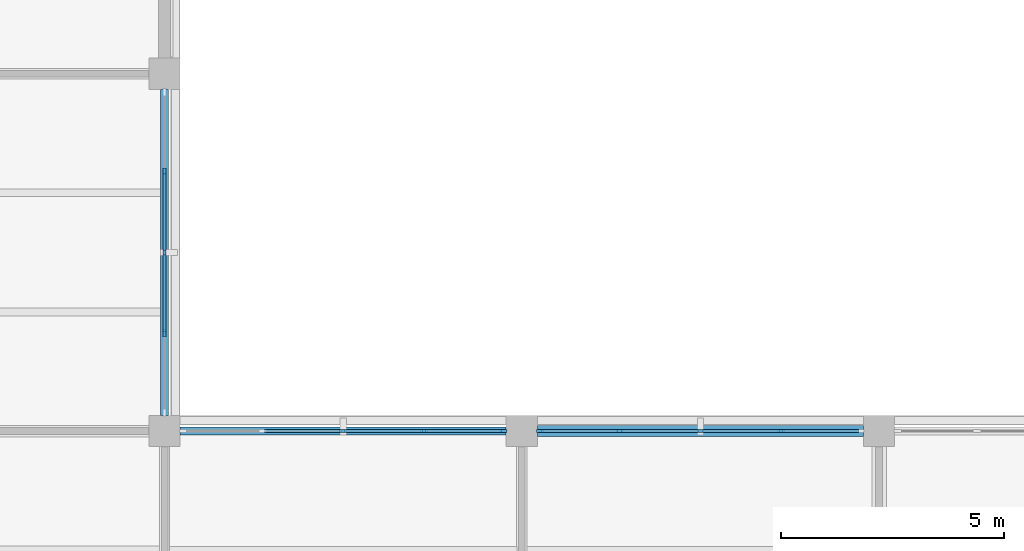
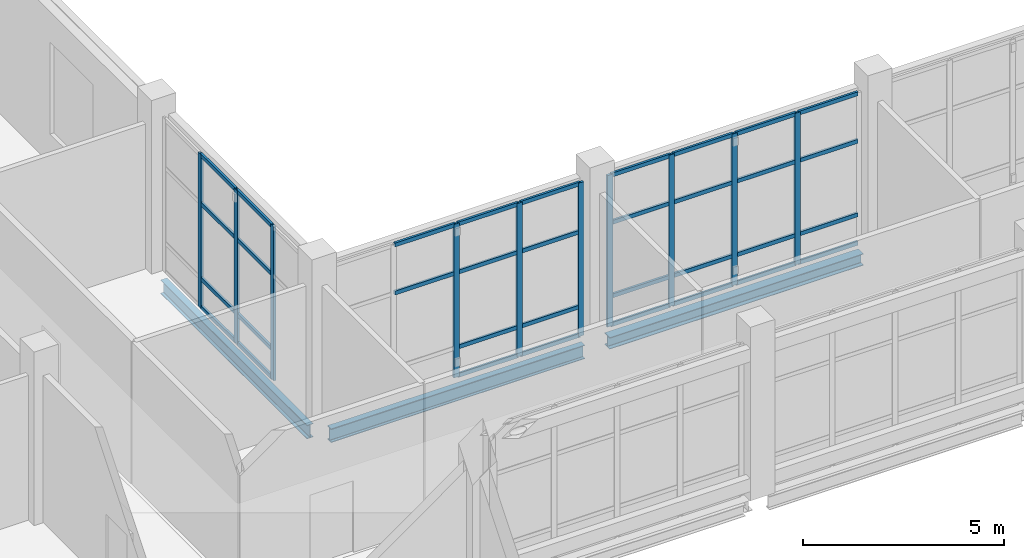
# One storey, part 12 of 105: 44 members, 3 beams, 3 elements without a shape of their own.
"""IFC4 building model written with IfcOpenShell, lengths in metres."""

from ifc_helpers import new_model, si_unit, derived_unit, direction, frame, origin, origin_2d, place, context, subcontext, project, spatial, rectangle, i_section, extrude, material, layer, layer_set, material_profile, profile_set, type_object, element, aggregate, save


model = new_model("IFC4")

# Units and contexts
model_context = context("Model", 3, precision=1e-05, world=origin(), true_north=direction((0.0, 1.0)))
body_context = subcontext(model_context, "Body", "Model", "MODEL_VIEW")
ifc_project = project(units=[si_unit("LENGTHUNIT", "METRE"), si_unit("AREAUNIT", "SQUARE_METRE"), si_unit("VOLUMEUNIT", "CUBIC_METRE"), si_unit("PLANEANGLEUNIT", "RADIAN"), si_unit("MASSUNIT", "GRAM", prefix="KILO"), derived_unit("THERMALTRANSMITTANCEUNIT", [(si_unit("MASSUNIT", "GRAM", prefix="KILO"), 1), (si_unit("TIMEUNIT", "SECOND"), -3), (si_unit("THERMODYNAMICTEMPERATUREUNIT", "KELVIN"), -1)])], contexts=[model_context])

# Site, building, storey
site_placement = place(None, origin())
site = spatial("IfcSite", under=ifc_project, at=site_placement, CompositionType="ELEMENT")
building_placement = place(site_placement, origin())
building = spatial("IfcBuilding", under=site, at=building_placement, Name="Veyamyaing Civic Hall", CompositionType="ELEMENT")
storey_placement = place(building_placement, origin())
storey = spatial("IfcBuildingStorey", under=building, at=storey_placement, Name="L00", CompositionType="ELEMENT", Elevation=0.0)

# Beams
ifc_material_1 = material(Name="Steel ASTM A992", Category="steel")
ifc_material_profile_1 = material_profile(ifc_material_1, i_section(OverallWidth=0.180908203125, OverallDepth=0.4169921875, WebThickness=0.010986328125, FlangeThickness=0.018310546875, FilletRadius=0.010009765625, at=origin_2d()), Name="W410X85")
ifc_profile_set_1 = profile_set([ifc_material_profile_1], Name="Steel ASTM A992")
beam_type_1 = type_object("IfcBeamType", Name="B-19", PredefinedType="SPANDREL", material=ifc_profile_set_1)
for number, where, z_axis, x_axis, name in (
    (1, (16.35009765625, 56.0, -0.473388671875), (1.0, 0.0, 0.0), (0.0, 1.0, 0.0), "Girder B-19 L00 Grid H 3-4"),
    (2, (16.0, 56.35009765625, -0.473388671875), (0.0, 1.0, 0.0), (-1.0, 0.0, 0.0), "Girder B-19 L00 Grid 3 H-J"),
):
    element("IfcBeam", number, at=place(storey_placement, frame(where, z_axis=z_axis, x_axis=x_axis)), inside=storey, type_object=beam_type_1, Name=name, PredefinedType="SPANDREL", context=body_context, shape_type="SweptSolid", body=[
        extrude(i_section(OverallWidth=0.180908203125, OverallDepth=0.4169921875, WebThickness=0.010986328125, FlangeThickness=0.018310546875, FilletRadius=0.010009765625, at=origin_2d()), origin(), (0.0, 0.0, 1.0), 7.2998046875),
    ])
ifc_material_profile_2 = material_profile(ifc_material_1, i_section(OverallWidth=0.25390625, OverallDepth=0.35302734375, WebThickness=0.009521484375, FlangeThickness=0.016357421875, FilletRadius=0.011962890625, at=origin_2d()), Name="W360X91")
ifc_profile_set_2 = profile_set([ifc_material_profile_2], Name="Steel ASTM A992")
beam_type_2 = type_object("IfcBeamType", Name="B-20", PredefinedType="SPANDREL", material=ifc_profile_set_2)
beam_placement = place(storey_placement, frame((24.35009765625, 56.0, -0.44140625), z_axis=(1.0, 0.0, 0.0), x_axis=(0.0, 1.0, 0.0)))
element("IfcBeam", 3, at=beam_placement, inside=storey, type_object=beam_type_2, Name="Girder B-20 L00 Grid H 4-5", PredefinedType="SPANDREL", context=body_context, shape_type="SweptSolid", body=[
    extrude(i_section(OverallWidth=0.25390625, OverallDepth=0.35302734375, WebThickness=0.009521484375, FlangeThickness=0.016357421875, FilletRadius=0.011962890625, at=origin_2d()), origin(), (0.0, 0.0, 1.0), 7.2998046875),
])

# Curtain wall, members
ifc_material_2 = material(Name="Anodised aluminium 6063-T6", Category="aluminium")
ifc_layer = layer(ifc_material_2, 0.159912109375, Name="Anodised aluminium 6063-T6")
ifc_layer_set = layer_set([ifc_layer], Name="Anodised aluminium 6063-T6")
curtain_wall_type = type_object("IfcCurtainWallType", Name="CW-01", PredefinedType="NOTDEFINED", material=ifc_layer_set)
curtain_wall_1_placement = place(storey_placement, origin())
curtain_wall_1 = element("IfcCurtainWall", 4, at=curtain_wall_1_placement, inside=storey, type_object=curtain_wall_type, Name="Unitized curtain wall CW-01 L00 E 2.8", PredefinedType="NOTDEFINED")
ifc_material_profile_3 = material_profile(ifc_material_2, rectangle(XDim=0.06494140625, YDim=0.159912109375, at=origin_2d()), Name="ALU-MUL-65X160")
ifc_profile_set_3 = profile_set([ifc_material_profile_3], Name="Anodised aluminium 6063-T6")
member_type_1 = type_object("IfcMemberType", Name="CWM-01", PredefinedType="MULLION", material=ifc_profile_set_3)
member_1_placement = place(storey_placement, frame((16.0, 58.18994140625, 0.0), z_axis=(0.0, 0.0, 1.0), x_axis=(-1.0, 0.0, 0.0)))
member_1 = element("IfcMember", 5, at=member_1_placement, type_object=member_type_1, Name="CW-01 mullion 2", PredefinedType="MULLION", context=body_context, shape_type="SweptSolid", body=[
    extrude(rectangle(XDim=0.06494140625, YDim=0.159912109375, at=origin_2d()), origin(), (0.0, 0.0, 1.0), 4.678955078125),
])
member_2_placement = place(storey_placement, frame((16.0, 60.0, 0.0), z_axis=(0.0, 0.0, 1.0), x_axis=(-1.0, 0.0, 0.0)))
member_2 = element("IfcMember", 6, at=member_2_placement, type_object=member_type_1, Name="CW-01 mullion 3", PredefinedType="MULLION", context=body_context, shape_type="SweptSolid", body=[
    extrude(rectangle(XDim=0.06494140625, YDim=0.159912109375, at=origin_2d()), origin(), (0.0, 0.0, 1.0), 4.678955078125),
])
member_3_placement = place(storey_placement, frame((16.0, 61.81005859375, 0.0), z_axis=(0.0, 0.0, 1.0), x_axis=(-1.0, 0.0, 0.0)))
member_3 = element("IfcMember", 7, at=member_3_placement, type_object=member_type_1, Name="CW-01 mullion 4", PredefinedType="MULLION", context=body_context, shape_type="SweptSolid", body=[
    extrude(rectangle(XDim=0.06494140625, YDim=0.159912109375, at=origin_2d()), origin(), (0.0, 0.0, 1.0), 4.678955078125),
])

curtain_wall_2_placement = place(storey_placement, origin())
curtain_wall_2 = element("IfcCurtainWall", 8, at=curtain_wall_2_placement, inside=storey, type_object=curtain_wall_type, Name="Unitized curtain wall CW-01 L00 N 3.7", PredefinedType="NOTDEFINED")
member_4_placement = place(storey_placement, frame((20.0, 56.0, 0.0), z_axis=(0.0, 0.0, 1.0), x_axis=(0.0, 1.0, 0.0)))
member_4 = element("IfcMember", 9, at=member_4_placement, type_object=member_type_1, Name="CW-01 mullion 3", PredefinedType="MULLION", context=body_context, shape_type="SweptSolid", body=[
    extrude(rectangle(XDim=0.06494140625, YDim=0.159912109375, at=origin_2d()), origin(), (0.0, 0.0, 1.0), 4.674072265625),
])
member_5_placement = place(storey_placement, frame((21.81005859375, 56.0, 0.0), z_axis=(0.0, 0.0, 1.0), x_axis=(0.0, 1.0, 0.0)))
member_5 = element("IfcMember", 10, at=member_5_placement, type_object=member_type_1, Name="CW-01 mullion 4", PredefinedType="MULLION", context=body_context, shape_type="SweptSolid", body=[
    extrude(rectangle(XDim=0.06494140625, YDim=0.159912109375, at=origin_2d()), origin(), (0.0, 0.0, 1.0), 4.674072265625),
])
member_6_placement = place(storey_placement, frame((23.58740234375, 56.0, 0.0), z_axis=(0.0, 0.0, 1.0), x_axis=(0.0, 1.0, 0.0)))
member_6 = element("IfcMember", 11, at=member_6_placement, type_object=member_type_1, Name="CW-01 mullion 5", PredefinedType="MULLION", context=body_context, shape_type="SweptSolid", body=[
    extrude(rectangle(XDim=0.06494140625, YDim=0.159912109375, at=origin_2d()), origin(), (0.0, 0.0, 1.0), 4.674072265625),
])

curtain_wall_3_placement = place(storey_placement, origin())
curtain_wall_3 = element("IfcCurtainWall", 12, at=curtain_wall_3_placement, inside=storey, type_object=curtain_wall_type, Name="Unitized curtain wall CW-01 L00 N 4.7", PredefinedType="NOTDEFINED")
member_7_placement = place(storey_placement, frame((24.41259765625, 56.0, 0.0), z_axis=(0.0, 0.0, 1.0), x_axis=(0.0, 1.0, 0.0)))
member_7 = element("IfcMember", 13, at=member_7_placement, type_object=member_type_1, Name="CW-01 mullion 1", PredefinedType="MULLION", context=body_context, shape_type="SweptSolid", body=[
    extrude(rectangle(XDim=0.06494140625, YDim=0.159912109375, at=origin_2d()), origin(), (0.0, 0.0, 1.0), 4.614013671875),
])
member_8_placement = place(storey_placement, frame((26.18994140625, 56.0, 0.0), z_axis=(0.0, 0.0, 1.0), x_axis=(0.0, 1.0, 0.0)))
member_8 = element("IfcMember", 14, at=member_8_placement, type_object=member_type_1, Name="CW-01 mullion 2", PredefinedType="MULLION", context=body_context, shape_type="SweptSolid", body=[
    extrude(rectangle(XDim=0.06494140625, YDim=0.159912109375, at=origin_2d()), origin(), (0.0, 0.0, 1.0), 4.614013671875),
])
member_9_placement = place(storey_placement, frame((28.0, 56.0, 0.0), z_axis=(0.0, 0.0, 1.0), x_axis=(0.0, 1.0, 0.0)))
member_9 = element("IfcMember", 15, at=member_9_placement, type_object=member_type_1, Name="CW-01 mullion 3", PredefinedType="MULLION", context=body_context, shape_type="SweptSolid", body=[
    extrude(rectangle(XDim=0.06494140625, YDim=0.159912109375, at=origin_2d()), origin(), (0.0, 0.0, 1.0), 4.614013671875),
])
member_10_placement = place(storey_placement, frame((29.81005859375, 56.0, 0.0), z_axis=(0.0, 0.0, 1.0), x_axis=(0.0, 1.0, 0.0)))
member_10 = element("IfcMember", 16, at=member_10_placement, type_object=member_type_1, Name="CW-01 mullion 4", PredefinedType="MULLION", context=body_context, shape_type="SweptSolid", body=[
    extrude(rectangle(XDim=0.06494140625, YDim=0.159912109375, at=origin_2d()), origin(), (0.0, 0.0, 1.0), 4.614013671875),
])

# Member
ifc_material_profile_4 = material_profile(ifc_material_2, rectangle(XDim=0.06494140625, YDim=0.1201171875, at=origin_2d()), Name="ALU-TRN-65X120")
ifc_profile_set_4 = profile_set([ifc_material_profile_4], Name="Anodised aluminium 6063-T6")
member_type_2 = type_object("IfcMemberType", Name="CWT-01", PredefinedType="USERDEFINED", material=ifc_profile_set_4)
member_11_placement = place(storey_placement, frame((16.0, 58.222412109375, 0.032470703125), z_axis=(0.0, 1.0, 0.0), x_axis=(-1.0, 0.0, 0.0)))
member_11 = element("IfcMember", 17, at=member_11_placement, type_object=member_type_2, Name="CW-01 transom 2.1", ObjectType="TRANSOM", PredefinedType="USERDEFINED", context=body_context, shape_type="SweptSolid", body=[
    extrude(rectangle(XDim=0.06494140625, YDim=0.1201171875, at=origin_2d()), origin(), (0.0, 0.0, 1.0), 1.7451171875),
])

member_12_placement = place(storey_placement, frame((16.0, 58.222412109375, 0.89990234375), z_axis=(0.0, 1.0, 0.0), x_axis=(-1.0, 0.0, 0.0)))
member_12 = element("IfcMember", 18, at=member_12_placement, type_object=member_type_2, Name="CW-01 transom 2.2", ObjectType="TRANSOM", PredefinedType="USERDEFINED", context=body_context, shape_type="SweptSolid", body=[
    extrude(rectangle(XDim=0.06494140625, YDim=0.1201171875, at=origin_2d()), origin(), (0.0, 0.0, 1.0), 1.7451171875),
])

member_13_placement = place(storey_placement, frame((16.0, 58.222412109375, 3.181640625), z_axis=(0.0, 1.0, 0.0), x_axis=(-1.0, 0.0, 0.0)))
member_13 = element("IfcMember", 19, at=member_13_placement, type_object=member_type_2, Name="CW-01 transom 2.3", ObjectType="TRANSOM", PredefinedType="USERDEFINED", context=body_context, shape_type="SweptSolid", body=[
    extrude(rectangle(XDim=0.06494140625, YDim=0.1201171875, at=origin_2d()), origin(), (0.0, 0.0, 1.0), 1.7451171875),
])

member_14_placement = place(storey_placement, frame((16.0, 58.222412109375, 4.646484375), z_axis=(0.0, 1.0, 0.0), x_axis=(-1.0, 0.0, 0.0)))
member_14 = element("IfcMember", 20, at=member_14_placement, type_object=member_type_2, Name="CW-01 transom 2.4", ObjectType="TRANSOM", PredefinedType="USERDEFINED", context=body_context, shape_type="SweptSolid", body=[
    extrude(rectangle(XDim=0.06494140625, YDim=0.1201171875, at=origin_2d()), origin(), (0.0, 0.0, 1.0), 1.7451171875),
])

member_15_placement = place(storey_placement, frame((16.0, 60.032470703125, 0.032470703125), z_axis=(0.0, 1.0, 0.0), x_axis=(-1.0, 0.0, 0.0)))
member_15 = element("IfcMember", 21, at=member_15_placement, type_object=member_type_2, Name="CW-01 transom 3.1", ObjectType="TRANSOM", PredefinedType="USERDEFINED", context=body_context, shape_type="SweptSolid", body=[
    extrude(rectangle(XDim=0.06494140625, YDim=0.1201171875, at=origin_2d()), origin(), (0.0, 0.0, 1.0), 1.7451171875),
])

member_16_placement = place(storey_placement, frame((16.0, 60.032470703125, 0.89990234375), z_axis=(0.0, 1.0, 0.0), x_axis=(-1.0, 0.0, 0.0)))
member_16 = element("IfcMember", 22, at=member_16_placement, type_object=member_type_2, Name="CW-01 transom 3.2", ObjectType="TRANSOM", PredefinedType="USERDEFINED", context=body_context, shape_type="SweptSolid", body=[
    extrude(rectangle(XDim=0.06494140625, YDim=0.1201171875, at=origin_2d()), origin(), (0.0, 0.0, 1.0), 1.7451171875),
])

member_17_placement = place(storey_placement, frame((16.0, 60.032470703125, 3.181640625), z_axis=(0.0, 1.0, 0.0), x_axis=(-1.0, 0.0, 0.0)))
member_17 = element("IfcMember", 23, at=member_17_placement, type_object=member_type_2, Name="CW-01 transom 3.3", ObjectType="TRANSOM", PredefinedType="USERDEFINED", context=body_context, shape_type="SweptSolid", body=[
    extrude(rectangle(XDim=0.06494140625, YDim=0.1201171875, at=origin_2d()), origin(), (0.0, 0.0, 1.0), 1.7451171875),
])

member_18_placement = place(storey_placement, frame((16.0, 60.032470703125, 4.646484375), z_axis=(0.0, 1.0, 0.0), x_axis=(-1.0, 0.0, 0.0)))
member_18 = element("IfcMember", 24, at=member_18_placement, type_object=member_type_2, Name="CW-01 transom 3.4", ObjectType="TRANSOM", PredefinedType="USERDEFINED", context=body_context, shape_type="SweptSolid", body=[
    extrude(rectangle(XDim=0.06494140625, YDim=0.1201171875, at=origin_2d()), origin(), (0.0, 0.0, 1.0), 1.7451171875),
])

aggregate(curtain_wall_1, [member_1, member_2, member_3, member_11, member_12, member_13, member_14, member_15, member_16, member_17, member_18])

member_19_placement = place(storey_placement, frame((18.222412109375, 56.0, 3.17822265625), z_axis=(1.0, 0.0, 0.0), x_axis=(0.0, 1.0, 0.0)))
member_19 = element("IfcMember", 25, at=member_19_placement, type_object=member_type_2, Name="CW-01 transom 2.3", ObjectType="TRANSOM", PredefinedType="USERDEFINED", context=body_context, shape_type="SweptSolid", body=[
    extrude(rectangle(XDim=0.06494140625, YDim=0.1201171875, at=origin_2d()), origin(), (0.0, 0.0, 1.0), 1.7451171875),
])

member_20_placement = place(storey_placement, frame((18.222412109375, 56.0, 4.6416015625), z_axis=(1.0, 0.0, 0.0), x_axis=(0.0, 1.0, 0.0)))
member_20 = element("IfcMember", 26, at=member_20_placement, type_object=member_type_2, Name="CW-01 transom 2.4", ObjectType="TRANSOM", PredefinedType="USERDEFINED", context=body_context, shape_type="SweptSolid", body=[
    extrude(rectangle(XDim=0.06494140625, YDim=0.1201171875, at=origin_2d()), origin(), (0.0, 0.0, 1.0), 1.7451171875),
])

member_21_placement = place(storey_placement, frame((20.032470703125, 56.0, 0.032470703125), z_axis=(1.0, 0.0, 0.0), x_axis=(0.0, 1.0, 0.0)))
member_21 = element("IfcMember", 27, at=member_21_placement, type_object=member_type_2, Name="CW-01 transom 3.1", ObjectType="TRANSOM", PredefinedType="USERDEFINED", context=body_context, shape_type="SweptSolid", body=[
    extrude(rectangle(XDim=0.06494140625, YDim=0.1201171875, at=origin_2d()), origin(), (0.0, 0.0, 1.0), 1.7451171875),
])

member_22_placement = place(storey_placement, frame((20.032470703125, 56.0, 0.89990234375), z_axis=(1.0, 0.0, 0.0), x_axis=(0.0, 1.0, 0.0)))
member_22 = element("IfcMember", 28, at=member_22_placement, type_object=member_type_2, Name="CW-01 transom 3.2", ObjectType="TRANSOM", PredefinedType="USERDEFINED", context=body_context, shape_type="SweptSolid", body=[
    extrude(rectangle(XDim=0.06494140625, YDim=0.1201171875, at=origin_2d()), origin(), (0.0, 0.0, 1.0), 1.7451171875),
])

member_23_placement = place(storey_placement, frame((20.032470703125, 56.0, 3.17822265625), z_axis=(1.0, 0.0, 0.0), x_axis=(0.0, 1.0, 0.0)))
member_23 = element("IfcMember", 29, at=member_23_placement, type_object=member_type_2, Name="CW-01 transom 3.3", ObjectType="TRANSOM", PredefinedType="USERDEFINED", context=body_context, shape_type="SweptSolid", body=[
    extrude(rectangle(XDim=0.06494140625, YDim=0.1201171875, at=origin_2d()), origin(), (0.0, 0.0, 1.0), 1.7451171875),
])

member_24_placement = place(storey_placement, frame((20.032470703125, 56.0, 4.6416015625), z_axis=(1.0, 0.0, 0.0), x_axis=(0.0, 1.0, 0.0)))
member_24 = element("IfcMember", 30, at=member_24_placement, type_object=member_type_2, Name="CW-01 transom 3.4", ObjectType="TRANSOM", PredefinedType="USERDEFINED", context=body_context, shape_type="SweptSolid", body=[
    extrude(rectangle(XDim=0.06494140625, YDim=0.1201171875, at=origin_2d()), origin(), (0.0, 0.0, 1.0), 1.7451171875),
])

member_25_placement = place(storey_placement, frame((21.842529296875, 56.0, 0.032470703125), z_axis=(1.0, 0.0, 0.0), x_axis=(0.0, 1.0, 0.0)))
member_25 = element("IfcMember", 31, at=member_25_placement, type_object=member_type_2, Name="CW-01 transom 4.1", ObjectType="TRANSOM", PredefinedType="USERDEFINED", context=body_context, shape_type="SweptSolid", body=[
    extrude(rectangle(XDim=0.06494140625, YDim=0.1201171875, at=origin_2d()), origin(), (0.0, 0.0, 1.0), 1.71240234375),
])

member_26_placement = place(storey_placement, frame((21.842529296875, 56.0, 0.89990234375), z_axis=(1.0, 0.0, 0.0), x_axis=(0.0, 1.0, 0.0)))
member_26 = element("IfcMember", 32, at=member_26_placement, type_object=member_type_2, Name="CW-01 transom 4.2", ObjectType="TRANSOM", PredefinedType="USERDEFINED", context=body_context, shape_type="SweptSolid", body=[
    extrude(rectangle(XDim=0.06494140625, YDim=0.1201171875, at=origin_2d()), origin(), (0.0, 0.0, 1.0), 1.71240234375),
])

member_27_placement = place(storey_placement, frame((21.842529296875, 56.0, 3.17822265625), z_axis=(1.0, 0.0, 0.0), x_axis=(0.0, 1.0, 0.0)))
member_27 = element("IfcMember", 33, at=member_27_placement, type_object=member_type_2, Name="CW-01 transom 4.3", ObjectType="TRANSOM", PredefinedType="USERDEFINED", context=body_context, shape_type="SweptSolid", body=[
    extrude(rectangle(XDim=0.06494140625, YDim=0.1201171875, at=origin_2d()), origin(), (0.0, 0.0, 1.0), 1.71240234375),
])

member_28_placement = place(storey_placement, frame((21.842529296875, 56.0, 4.6416015625), z_axis=(1.0, 0.0, 0.0), x_axis=(0.0, 1.0, 0.0)))
member_28 = element("IfcMember", 34, at=member_28_placement, type_object=member_type_2, Name="CW-01 transom 4.4", ObjectType="TRANSOM", PredefinedType="USERDEFINED", context=body_context, shape_type="SweptSolid", body=[
    extrude(rectangle(XDim=0.06494140625, YDim=0.1201171875, at=origin_2d()), origin(), (0.0, 0.0, 1.0), 1.71240234375),
])

aggregate(curtain_wall_2, [member_4, member_5, member_6, member_19, member_20, member_21, member_22, member_23, member_24, member_25, member_26, member_27, member_28])

member_29_placement = place(storey_placement, frame((24.445068359375, 56.0, 0.032470703125), z_axis=(1.0, 0.0, 0.0), x_axis=(0.0, 1.0, 0.0)))
member_29 = element("IfcMember", 35, at=member_29_placement, type_object=member_type_2, Name="CW-01 transom 1.1", ObjectType="TRANSOM", PredefinedType="USERDEFINED", context=body_context, shape_type="SweptSolid", body=[
    extrude(rectangle(XDim=0.06494140625, YDim=0.1201171875, at=origin_2d()), origin(), (0.0, 0.0, 1.0), 1.71240234375),
])

member_30_placement = place(storey_placement, frame((24.445068359375, 56.0, 0.89990234375), z_axis=(1.0, 0.0, 0.0), x_axis=(0.0, 1.0, 0.0)))
member_30 = element("IfcMember", 36, at=member_30_placement, type_object=member_type_2, Name="CW-01 transom 1.2", ObjectType="TRANSOM", PredefinedType="USERDEFINED", context=body_context, shape_type="SweptSolid", body=[
    extrude(rectangle(XDim=0.06494140625, YDim=0.1201171875, at=origin_2d()), origin(), (0.0, 0.0, 1.0), 1.71240234375),
])

member_31_placement = place(storey_placement, frame((24.445068359375, 56.0, 3.137451171875), z_axis=(1.0, 0.0, 0.0), x_axis=(0.0, 1.0, 0.0)))
member_31 = element("IfcMember", 37, at=member_31_placement, type_object=member_type_2, Name="CW-01 transom 1.3", ObjectType="TRANSOM", PredefinedType="USERDEFINED", context=body_context, shape_type="SweptSolid", body=[
    extrude(rectangle(XDim=0.06494140625, YDim=0.1201171875, at=origin_2d()), origin(), (0.0, 0.0, 1.0), 1.71240234375),
])

member_32_placement = place(storey_placement, frame((24.445068359375, 56.0, 4.58154296875), z_axis=(1.0, 0.0, 0.0), x_axis=(0.0, 1.0, 0.0)))
member_32 = element("IfcMember", 38, at=member_32_placement, type_object=member_type_2, Name="CW-01 transom 1.4", ObjectType="TRANSOM", PredefinedType="USERDEFINED", context=body_context, shape_type="SweptSolid", body=[
    extrude(rectangle(XDim=0.06494140625, YDim=0.1201171875, at=origin_2d()), origin(), (0.0, 0.0, 1.0), 1.71240234375),
])

member_33_placement = place(storey_placement, frame((26.222412109375, 56.0, 0.032470703125), z_axis=(1.0, 0.0, 0.0), x_axis=(0.0, 1.0, 0.0)))
member_33 = element("IfcMember", 39, at=member_33_placement, type_object=member_type_2, Name="CW-01 transom 2.1", ObjectType="TRANSOM", PredefinedType="USERDEFINED", context=body_context, shape_type="SweptSolid", body=[
    extrude(rectangle(XDim=0.06494140625, YDim=0.1201171875, at=origin_2d()), origin(), (0.0, 0.0, 1.0), 1.7451171875),
])

member_34_placement = place(storey_placement, frame((26.222412109375, 56.0, 0.89990234375), z_axis=(1.0, 0.0, 0.0), x_axis=(0.0, 1.0, 0.0)))
member_34 = element("IfcMember", 40, at=member_34_placement, type_object=member_type_2, Name="CW-01 transom 2.2", ObjectType="TRANSOM", PredefinedType="USERDEFINED", context=body_context, shape_type="SweptSolid", body=[
    extrude(rectangle(XDim=0.06494140625, YDim=0.1201171875, at=origin_2d()), origin(), (0.0, 0.0, 1.0), 1.7451171875),
])

member_35_placement = place(storey_placement, frame((26.222412109375, 56.0, 3.137451171875), z_axis=(1.0, 0.0, 0.0), x_axis=(0.0, 1.0, 0.0)))
member_35 = element("IfcMember", 41, at=member_35_placement, type_object=member_type_2, Name="CW-01 transom 2.3", ObjectType="TRANSOM", PredefinedType="USERDEFINED", context=body_context, shape_type="SweptSolid", body=[
    extrude(rectangle(XDim=0.06494140625, YDim=0.1201171875, at=origin_2d()), origin(), (0.0, 0.0, 1.0), 1.7451171875),
])

member_36_placement = place(storey_placement, frame((26.222412109375, 56.0, 4.58154296875), z_axis=(1.0, 0.0, 0.0), x_axis=(0.0, 1.0, 0.0)))
member_36 = element("IfcMember", 42, at=member_36_placement, type_object=member_type_2, Name="CW-01 transom 2.4", ObjectType="TRANSOM", PredefinedType="USERDEFINED", context=body_context, shape_type="SweptSolid", body=[
    extrude(rectangle(XDim=0.06494140625, YDim=0.1201171875, at=origin_2d()), origin(), (0.0, 0.0, 1.0), 1.7451171875),
])

member_37_placement = place(storey_placement, frame((28.032470703125, 56.0, 0.032470703125), z_axis=(1.0, 0.0, 0.0), x_axis=(0.0, 1.0, 0.0)))
member_37 = element("IfcMember", 43, at=member_37_placement, type_object=member_type_2, Name="CW-01 transom 3.1", ObjectType="TRANSOM", PredefinedType="USERDEFINED", context=body_context, shape_type="SweptSolid", body=[
    extrude(rectangle(XDim=0.06494140625, YDim=0.1201171875, at=origin_2d()), origin(), (0.0, 0.0, 1.0), 1.7451171875),
])

member_38_placement = place(storey_placement, frame((28.032470703125, 56.0, 0.89990234375), z_axis=(1.0, 0.0, 0.0), x_axis=(0.0, 1.0, 0.0)))
member_38 = element("IfcMember", 44, at=member_38_placement, type_object=member_type_2, Name="CW-01 transom 3.2", ObjectType="TRANSOM", PredefinedType="USERDEFINED", context=body_context, shape_type="SweptSolid", body=[
    extrude(rectangle(XDim=0.06494140625, YDim=0.1201171875, at=origin_2d()), origin(), (0.0, 0.0, 1.0), 1.7451171875),
])

member_39_placement = place(storey_placement, frame((28.032470703125, 56.0, 3.137451171875), z_axis=(1.0, 0.0, 0.0), x_axis=(0.0, 1.0, 0.0)))
member_39 = element("IfcMember", 45, at=member_39_placement, type_object=member_type_2, Name="CW-01 transom 3.3", ObjectType="TRANSOM", PredefinedType="USERDEFINED", context=body_context, shape_type="SweptSolid", body=[
    extrude(rectangle(XDim=0.06494140625, YDim=0.1201171875, at=origin_2d()), origin(), (0.0, 0.0, 1.0), 1.7451171875),
])

member_40_placement = place(storey_placement, frame((28.032470703125, 56.0, 4.58154296875), z_axis=(1.0, 0.0, 0.0), x_axis=(0.0, 1.0, 0.0)))
member_40 = element("IfcMember", 46, at=member_40_placement, type_object=member_type_2, Name="CW-01 transom 3.4", ObjectType="TRANSOM", PredefinedType="USERDEFINED", context=body_context, shape_type="SweptSolid", body=[
    extrude(rectangle(XDim=0.06494140625, YDim=0.1201171875, at=origin_2d()), origin(), (0.0, 0.0, 1.0), 1.7451171875),
])

member_41_placement = place(storey_placement, frame((29.842529296875, 56.0, 0.032470703125), z_axis=(1.0, 0.0, 0.0), x_axis=(0.0, 1.0, 0.0)))
member_41 = element("IfcMember", 47, at=member_41_placement, type_object=member_type_2, Name="CW-01 transom 4.1", ObjectType="TRANSOM", PredefinedType="USERDEFINED", context=body_context, shape_type="SweptSolid", body=[
    extrude(rectangle(XDim=0.06494140625, YDim=0.1201171875, at=origin_2d()), origin(), (0.0, 0.0, 1.0), 1.71240234375),
])

member_42_placement = place(storey_placement, frame((29.842529296875, 56.0, 0.89990234375), z_axis=(1.0, 0.0, 0.0), x_axis=(0.0, 1.0, 0.0)))
member_42 = element("IfcMember", 48, at=member_42_placement, type_object=member_type_2, Name="CW-01 transom 4.2", ObjectType="TRANSOM", PredefinedType="USERDEFINED", context=body_context, shape_type="SweptSolid", body=[
    extrude(rectangle(XDim=0.06494140625, YDim=0.1201171875, at=origin_2d()), origin(), (0.0, 0.0, 1.0), 1.71240234375),
])

member_43_placement = place(storey_placement, frame((29.842529296875, 56.0, 3.137451171875), z_axis=(1.0, 0.0, 0.0), x_axis=(0.0, 1.0, 0.0)))
member_43 = element("IfcMember", 49, at=member_43_placement, type_object=member_type_2, Name="CW-01 transom 4.3", ObjectType="TRANSOM", PredefinedType="USERDEFINED", context=body_context, shape_type="SweptSolid", body=[
    extrude(rectangle(XDim=0.06494140625, YDim=0.1201171875, at=origin_2d()), origin(), (0.0, 0.0, 1.0), 1.71240234375),
])

member_44_placement = place(storey_placement, frame((29.842529296875, 56.0, 4.58154296875), z_axis=(1.0, 0.0, 0.0), x_axis=(0.0, 1.0, 0.0)))
member_44 = element("IfcMember", 50, at=member_44_placement, type_object=member_type_2, Name="CW-01 transom 4.4", ObjectType="TRANSOM", PredefinedType="USERDEFINED", context=body_context, shape_type="SweptSolid", body=[
    extrude(rectangle(XDim=0.06494140625, YDim=0.1201171875, at=origin_2d()), origin(), (0.0, 0.0, 1.0), 1.71240234375),
])

aggregate(curtain_wall_3, [member_7, member_8, member_9, member_10, member_29, member_30, member_31, member_32, member_33, member_34, member_35, member_36, member_37, member_38, member_39, member_40, member_41, member_42, member_43, member_44])

save(model, "model.ifc")
